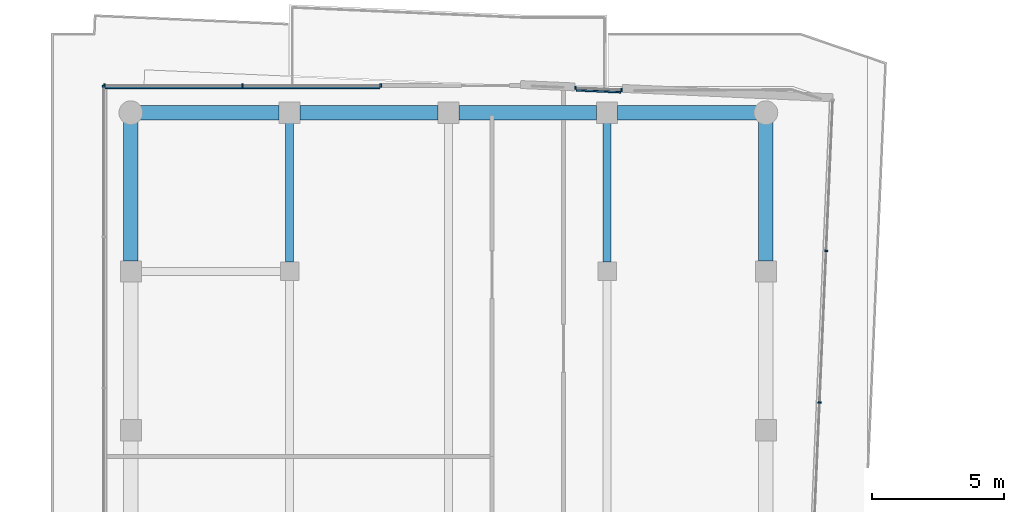
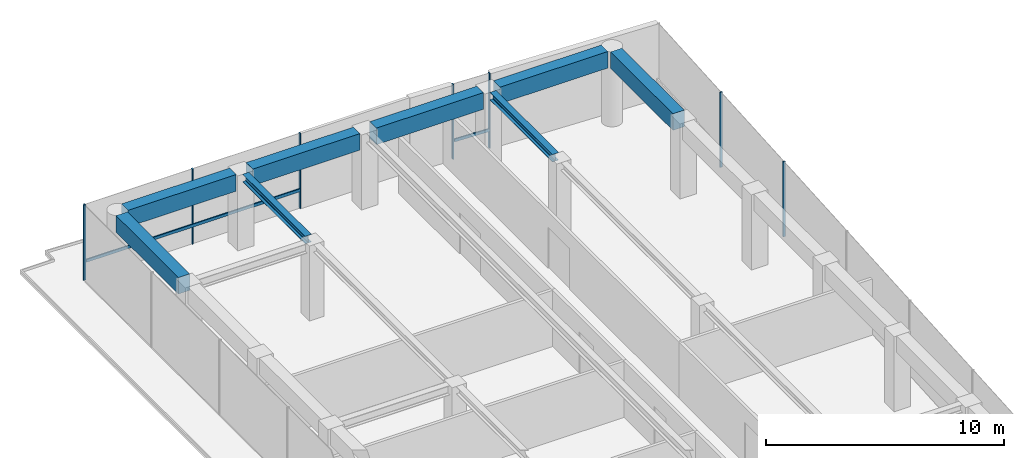
# One storey, part 13 of 20: 10 members, 8 beams, 4 elements without a shape of their own.
"""IFC4 building model written with IfcOpenShell, lengths in metres."""

from ifc_helpers import new_model, si_unit, direction, frame, origin, origin_2d, place, context, subcontext, project, spatial, rectangle, i_section, extrude, material, layer, layer_set, material_profile, profile_set, type_object, element, aggregate, save


model = new_model("IFC4")

# Units and contexts
model_context = context("Model", 3, precision=1e-05, world=origin(), true_north=direction((0.0, 1.0)))
body_context = subcontext(model_context, "Body", "Model", "MODEL_VIEW")
ifc_project = project(units=[si_unit("LENGTHUNIT", "METRE"), si_unit("AREAUNIT", "SQUARE_METRE"), si_unit("VOLUMEUNIT", "CUBIC_METRE"), si_unit("PLANEANGLEUNIT", "RADIAN"), si_unit("MASSUNIT", "GRAM", prefix="KILO")], contexts=[model_context])

# Site, building, storey
site_placement = place(None, origin())
site = spatial("IfcSite", under=ifc_project, at=site_placement, CompositionType="ELEMENT")
building_placement = place(site_placement, origin())
building = spatial("IfcBuilding", under=site, at=building_placement, Name="Welwitschia Terrace Campus", CompositionType="ELEMENT")
storey_placement = place(building_placement, frame((0.0, 0.0, 239.0)))
storey = spatial("IfcBuildingStorey", under=building, at=storey_placement, Name="L53", CompositionType="ELEMENT", Elevation=239.0)

# Beams
ifc_material_1 = material(Name="Steel S355", Category="steel")
ifc_material_profile_1 = material_profile(ifc_material_1, i_section(OverallWidth=0.300048828125, OverallDepth=0.389892578125, WebThickness=0.010986328125, FlangeThickness=0.01904296875, FilletRadius=0.027099609375, at=origin_2d()))
ifc_profile_set_1 = profile_set([ifc_material_profile_1], Name="Steel S355")
beam_type_1 = type_object("IfcBeamType", Name="Interior girder HE 400 A", PredefinedType="BEAM", material=ifc_profile_set_1)
for number, where, z_axis, x_axis, name in (
    (1, (6.0, 64.3505859375, 3.655029296875), (0.0, 1.0, 0.0), (-1.0, 0.0, 0.0), "Girder GB5"),
    (2, (18.0, 64.3505859375, 3.655029296875), (0.0, 1.0, 0.0), (-1.0, 0.0, 0.0), "Girder GB5"),
):
    element("IfcBeam", number, at=place(storey_placement, frame(where, z_axis=z_axis, x_axis=x_axis)), inside=storey, type_object=beam_type_1, Name=name, PredefinedType="BEAM", context=body_context, shape_type="SweptSolid", body=[
        extrude(i_section(OverallWidth=0.300048828125, OverallDepth=0.389892578125, WebThickness=0.010986328125, FlangeThickness=0.01904296875, FilletRadius=0.027099609375, at=origin_2d()), origin(), (0.0, 0.0, 1.0), 5.259033203125),
    ])

# Curtain wall, members
ifc_material_2 = material(Name="Bronze anodised aluminium", Category="aluminium")
ifc_layer = layer(ifc_material_2, 0.1201171875)
ifc_layer_set = layer_set([ifc_layer], Name="Bronze anodised aluminium")
curtain_wall_type = type_object("IfcCurtainWallType", Name="Curtain wall CW2 tower 6000", PredefinedType="NOTDEFINED", material=ifc_layer_set)
curtain_wall_1_placement = place(storey_placement, origin())
curtain_wall_1 = element("IfcCurtainWall", 3, at=curtain_wall_1_placement, inside=storey, type_object=curtain_wall_type, Name="CW L53.7.0", PredefinedType="NOTDEFINED")
ifc_material_3 = material(Name="Bronze anodised aluminium", Category="aluminium")
ifc_material_profile_2 = material_profile(ifc_material_3, rectangle(XDim=0.1201171875, YDim=0.06005859375, at=origin_2d()))
ifc_profile_set_2 = profile_set([ifc_material_profile_2], Name="Bronze anodised aluminium")
member_type_1 = type_object("IfcMemberType", Name="Mullion 60x120", PredefinedType="MULLION", material=ifc_profile_set_2)
member_1_placement = place(storey_placement, frame((26.030029296875, 59.0537109375, 0.0), z_axis=(0.0, 0.0, 1.0), x_axis=(-0.999048221582, 0.043619387365, 0.0)))
member_1 = element("IfcMember", 4, at=member_1_placement, type_object=member_type_1, Name="Mullion L53.7.0.4", PredefinedType="MULLION", context=body_context, shape_type="SweptSolid", body=[
    extrude(rectangle(XDim=0.1201171875, YDim=0.06005859375, at=origin_2d()), origin(), (0.0, 0.0, 1.0), 3.85009765625),
])
member_2_placement = place(storey_placement, frame((26.2802734375, 64.780517578125, 0.0), z_axis=(0.0, 0.0, 1.0), x_axis=(-0.999048221582, 0.043619387365, 0.0)))
member_2 = element("IfcMember", 5, at=member_2_placement, type_object=member_type_1, Name="Mullion L53.7.0.5", PredefinedType="MULLION", context=body_context, shape_type="SweptSolid", body=[
    extrude(rectangle(XDim=0.1201171875, YDim=0.06005859375, at=origin_2d()), origin(), (0.0, 0.0, 1.0), 3.85009765625),
])
aggregate(curtain_wall_1, [member_1, member_2])

curtain_wall_2_placement = place(storey_placement, origin())
curtain_wall_2 = element("IfcCurtainWall", 6, at=curtain_wall_2_placement, inside=storey, type_object=curtain_wall_type, Name="CW L53.8.S0", PredefinedType="NOTDEFINED")
member_3_placement = place(storey_placement, frame((18.54833984375, 70.86083984375, 0.0), z_axis=(0.0, 0.0, 1.0), x_axis=(-0.044259242784, -0.999020079592, 0.0)))
member_3 = element("IfcMember", 7, at=member_3_placement, type_object=member_type_1, Name="Mullion L53.8.S0.0", PredefinedType="MULLION", context=body_context, shape_type="SweptSolid", body=[
    extrude(rectangle(XDim=0.1201171875, YDim=0.06005859375, at=origin_2d()), origin(), (0.0, 0.0, 1.0), 3.85009765625),
])
member_4_placement = place(storey_placement, frame((16.81005859375, 70.937744140625, 0.0), z_axis=(0.0, 0.0, 1.0), x_axis=(-0.044259242784, -0.999020079592, 0.0)))
member_4 = element("IfcMember", 8, at=member_4_placement, type_object=member_type_1, Name="Mullion L53.8.S0.1", PredefinedType="MULLION", context=body_context, shape_type="SweptSolid", body=[
    extrude(rectangle(XDim=0.1201171875, YDim=0.06005859375, at=origin_2d()), origin(), (0.0, 0.0, 1.0), 3.85009765625),
])

curtain_wall_3_placement = place(storey_placement, origin())
curtain_wall_3 = element("IfcCurtainWall", 9, at=curtain_wall_3_placement, inside=storey, type_object=curtain_wall_type, Name="CW L53.9.1", PredefinedType="NOTDEFINED")
member_5_placement = place(storey_placement, frame((9.446044921875, 71.030029296875, 0.0), z_axis=(0.0, 0.0, 1.0), x_axis=(0.0, -1.0, 0.0)))
member_5 = element("IfcMember", 10, at=member_5_placement, type_object=member_type_1, Name="Mullion L53.9.1.0", PredefinedType="MULLION", context=body_context, shape_type="SweptSolid", body=[
    extrude(rectangle(XDim=0.1201171875, YDim=0.06005859375, at=origin_2d()), origin(), (0.0, 0.0, 1.0), 3.85009765625),
])
member_6_placement = place(storey_placement, frame((4.222900390625, 71.030029296875, 0.0), z_axis=(0.0, 0.0, 1.0), x_axis=(0.0, -1.0, 0.0)))
member_6 = element("IfcMember", 11, at=member_6_placement, type_object=member_type_1, Name="Mullion L53.9.1.1", PredefinedType="MULLION", context=body_context, shape_type="SweptSolid", body=[
    extrude(rectangle(XDim=0.1201171875, YDim=0.06005859375, at=origin_2d()), origin(), (0.0, 0.0, 1.0), 3.85009765625),
])
member_7_placement = place(storey_placement, frame((-1.0, 71.030029296875, 0.0), z_axis=(0.0, 0.0, 1.0), x_axis=(0.0, -1.0, 0.0)))
member_7 = element("IfcMember", 12, at=member_7_placement, type_object=member_type_1, Name="Mullion L53.9.1.2", PredefinedType="MULLION", context=body_context, shape_type="SweptSolid", body=[
    extrude(rectangle(XDim=0.1201171875, YDim=0.06005859375, at=origin_2d()), origin(), (0.0, 0.0, 1.0), 3.85009765625),
])

# Curtain wall, member
curtain_wall_4_placement = place(storey_placement, origin())
curtain_wall_4 = element("IfcCurtainWall", 13, at=curtain_wall_4_placement, inside=storey, type_object=curtain_wall_type, Name="CW L53.10.0", PredefinedType="NOTDEFINED")
member_8_placement = place(storey_placement, frame((-1.030029296875, 71.0, 0.0), z_axis=(0.0, 0.0, 1.0), x_axis=(1.0, 0.0, 0.0)))
member_8 = element("IfcMember", 14, at=member_8_placement, type_object=member_type_1, Name="Mullion L53.10.0.0", PredefinedType="MULLION", context=body_context, shape_type="SweptSolid", body=[
    extrude(rectangle(XDim=0.1201171875, YDim=0.06005859375, at=origin_2d()), origin(), (0.0, 0.0, 1.0), 3.85009765625),
])
aggregate(curtain_wall_4, [member_8])

# Beams
ifc_material_4 = material(Name="Concrete C50/60", Category="concrete")
ifc_material_profile_3 = material_profile(ifc_material_4, rectangle(XDim=0.550048828125, YDim=0.85009765625, at=origin_2d()))
ifc_profile_set_3 = profile_set([ifc_material_profile_3], Name="Concrete C50/60")
beam_type_2 = type_object("IfcBeamType", Name="Ring spandrel 550x850", PredefinedType="SPANDREL", material=ifc_profile_set_3)
for number, where, z_axis, x_axis, name in (
    (15, (24.0, 64.400390625, 3.425048828125), (0.0, 1.0, 0.0), (-1.0, 0.0, 0.0), "Spandrel SP3"),
    (16, (23.64306640625, 70.0, 3.425048828125), (-1.0, 0.0, 0.0), (0.0, -1.0, 0.0), "Spandrel SP3"),
):
    element("IfcBeam", number, at=place(storey_placement, frame(where, z_axis=z_axis, x_axis=x_axis)), inside=storey, type_object=beam_type_2, Name=name, PredefinedType="SPANDREL", context=body_context, shape_type="SweptSolid", body=[
        extrude(rectangle(XDim=0.550048828125, YDim=0.85009765625, at=origin_2d()), origin(), (0.0, 0.0, 1.0), 5.24267578125),
    ])
for number, where, z_axis, x_axis, name in (
    (17, (17.599609375, 70.0, 3.425048828125), (-1.0, 0.0, 0.0), (0.0, -1.0, 0.0), "Spandrel SP3"),
    (18, (11.599609375, 70.0, 3.425048828125), (-1.0, 0.0, 0.0), (0.0, -1.0, 0.0), "Spandrel SP3"),
):
    element("IfcBeam", number, at=place(storey_placement, frame(where, z_axis=z_axis, x_axis=x_axis)), inside=storey, type_object=beam_type_2, Name=name, PredefinedType="SPANDREL", context=body_context, shape_type="SweptSolid", body=[
        extrude(rectangle(XDim=0.550048828125, YDim=0.85009765625, at=origin_2d()), origin(), (0.0, 0.0, 1.0), 5.19921875),
    ])
for number, where, z_axis, x_axis, name in (
    (19, (5.599609375, 70.0, 3.425048828125), (-1.0, 0.0, 0.0), (0.0, -1.0, 0.0), "Spandrel SP3"),
    (20, (0.0, 69.64306640625, 3.425048828125), (0.0, -1.0, 0.0), (1.0, 0.0, 0.0), "Spandrel SP3"),
):
    element("IfcBeam", number, at=place(storey_placement, frame(where, z_axis=z_axis, x_axis=x_axis)), inside=storey, type_object=beam_type_2, Name=name, PredefinedType="SPANDREL", context=body_context, shape_type="SweptSolid", body=[
        extrude(rectangle(XDim=0.550048828125, YDim=0.85009765625, at=origin_2d()), origin(), (0.0, 0.0, 1.0), 5.24267578125),
    ])

# Member
ifc_material_5 = material(Name="Bronze anodised aluminium", Category="aluminium")
ifc_material_profile_4 = material_profile(ifc_material_5, rectangle(XDim=0.06005859375, YDim=0.14990234375, at=origin_2d()))
ifc_profile_set_4 = profile_set([ifc_material_profile_4], Name="Bronze anodised aluminium")
member_type_2 = type_object("IfcMemberType", Name="Transom 60x150", PredefinedType="USERDEFINED", material=ifc_profile_set_4)
member_9_placement = place(storey_placement, frame((18.514404296875, 70.772216796875, 1.0), z_axis=(-0.999017384085, 0.044320043949, 0.0), x_axis=(-0.044320043949, -0.999017384085, 0.0)))
member_9 = element("IfcMember", 21, at=member_9_placement, type_object=member_type_2, Name="Transom L53.8.S0", ObjectType="TRANSOM", PredefinedType="USERDEFINED", context=body_context, shape_type="SweptSolid", body=[
    extrude(rectangle(XDim=0.06005859375, YDim=0.14990234375, at=origin_2d()), origin(), (0.0, 0.0, 1.0), 1.68017578125),
])

aggregate(curtain_wall_2, [member_3, member_4, member_9])

member_10_placement = place(storey_placement, frame((9.416015625, 70.93994140625, 1.0), z_axis=(-1.0, 0.0, 0.0), x_axis=(0.0, -1.0, 0.0)))
member_10 = element("IfcMember", 22, at=member_10_placement, type_object=member_type_2, Name="Transom L53.9.1", ObjectType="TRANSOM", PredefinedType="USERDEFINED", context=body_context, shape_type="SweptSolid", body=[
    extrude(rectangle(XDim=0.06005859375, YDim=0.14990234375, at=origin_2d()), origin(), (0.0, 0.0, 1.0), 10.385986328125),
])

aggregate(curtain_wall_3, [member_5, member_6, member_7, member_10])

save(model, "model.ifc")
